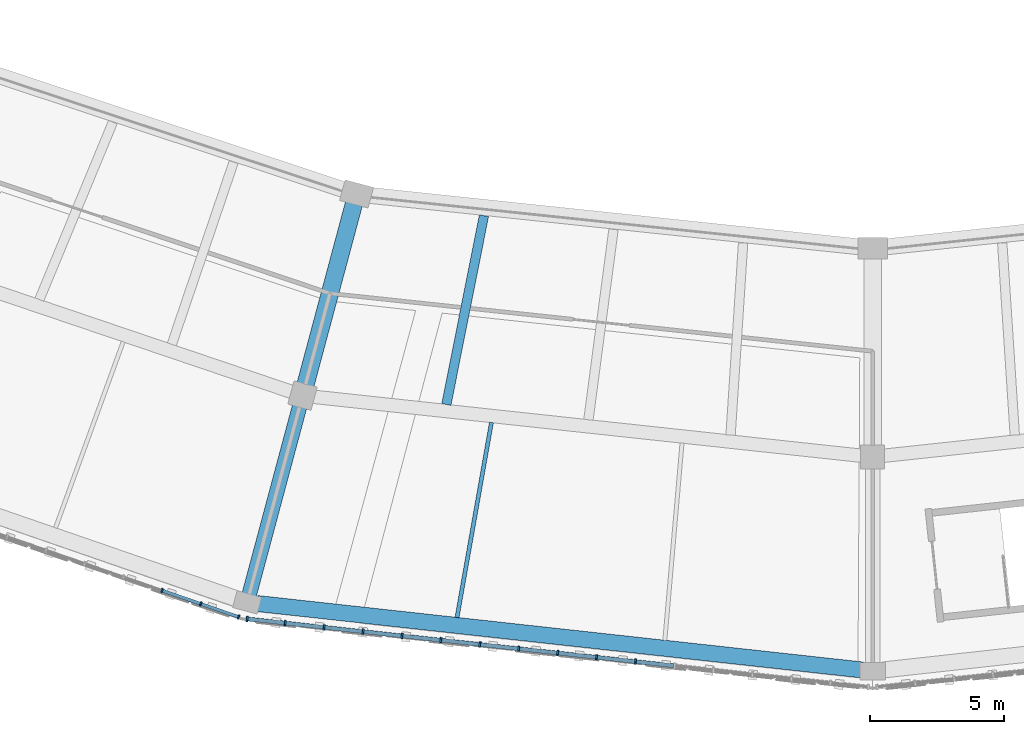
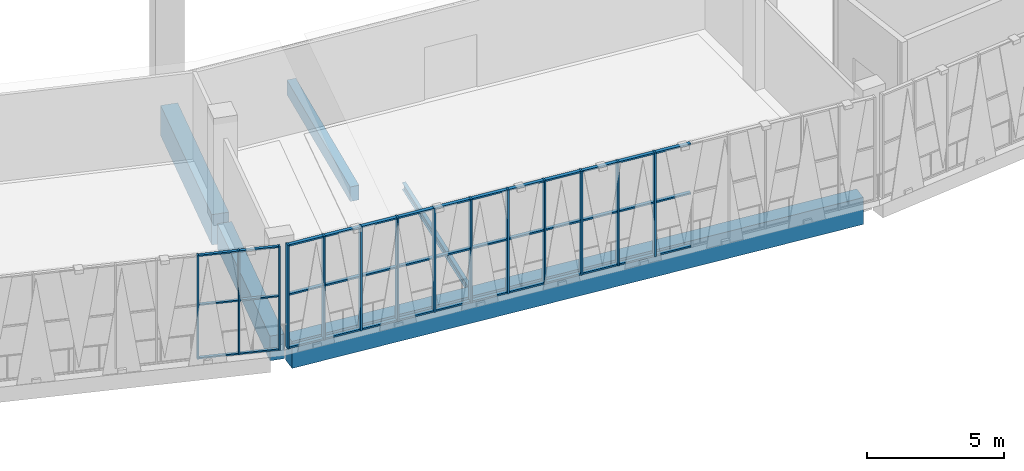
# One storey, part 7 of 64: 53 members, 5 beams, 2 elements without a shape of their own.
"""IFC4 building model written with IfcOpenShell, lengths in metres."""

import ifcopenshell
import ifcopenshell.guid

model = None  # the IFC model being written
_history = None  # IfcOwnerHistory: only IFC2X3 demands one
_inside = {}  # id of a spatial element -> (the spatial element, [elements in it])
_under = {}  # id of a project, library or spatial element -> (it, [spatial elements below it])
_declared = {}  # id of a project -> (the project, [libraries it declares])
_typed = {}  # id of a type object -> (the type object, [elements of that type])
_made_of = {}  # id of a material, layer set ... -> (it, [elements and type objects made of it])


def new_model(schema):
    """Start an empty IFC model of exactly this schema.

    Asked for "IFC4X3", IfcOpenShell would pick the latest addendum, in which some entities
    have other attributes; the version numbers below select the first issue.
    IFC2X3 requires an IfcOwnerHistory on every rooted entity: one is made here for all.
    """
    global model, _history
    if schema == "IFC4X3":
        model = ifcopenshell.file(schema_version=(4, 3, 0, 0))
    else:
        model = ifcopenshell.file(schema=schema)
    _inside.clear()
    _under.clear()
    _declared.clear()
    _typed.clear()
    _made_of.clear()
    _history = None
    if model.schema == "IFC2X3":
        org = make("IfcOrganization", Name="unknown")
        user = make(
            "IfcPersonAndOrganization",
            ThePerson=make("IfcPerson", FamilyName="unknown"),
            TheOrganization=org,
        )
        app = make(
            "IfcApplication",
            ApplicationDeveloper=org,
            Version="unknown",
            ApplicationFullName="unknown",
            ApplicationIdentifier="unknown",
        )
        _history = make(
            "IfcOwnerHistory",
            OwningUser=user,
            OwningApplication=app,
            ChangeAction="ADDED",
            CreationDate=0,
        )
    return model


def make(cls, **values):
    """One entity of the class cls with the attributes given. An attribute that is None is left unset."""
    return model.create_entity(
        cls, **{name: value for name, value in values.items() if value is not None}
    )


def rooted(cls, **values):
    """An entity with a GlobalId (a new one), such as an element, a storey or a relation."""
    return make(cls, GlobalId=ifcopenshell.guid.new(), OwnerHistory=_history, **values)


def si_unit(unit_type, name, prefix=None):
    """IfcSIUnit, for example si_unit("LENGTHUNIT", "METRE", prefix="MILLI")."""
    return make("IfcSIUnit", UnitType=unit_type, Prefix=prefix, Name=name)


def assignment(units):
    """IfcUnitAssignment: the units of a project."""
    return None if units is None else make("IfcUnitAssignment", Units=units)


def point(xyz):
    """IfcCartesianPoint."""
    return None if xyz is None else make("IfcCartesianPoint", Coordinates=xyz)


def direction(xyz):
    """IfcDirection."""
    return None if xyz is None else make("IfcDirection", DirectionRatios=xyz)


def frame(location, z_axis=None, x_axis=None):
    """IfcAxis2Placement3D, a coordinate frame: its origin and axes. An axis left out is left unset."""
    return make(
        "IfcAxis2Placement3D",
        Location=point(location),
        Axis=direction(z_axis),
        RefDirection=direction(x_axis),
    )


def frame_2d(location, x_axis=None):
    """IfcAxis2Placement2D, a coordinate frame in the plane: its origin and x axis."""
    return make(
        "IfcAxis2Placement2D", Location=point(location), RefDirection=direction(x_axis)
    )


def origin():
    """The frame at (0, 0, 0) with its axes left unset."""
    return frame((0.0, 0.0, 0.0))


def origin_2d():
    """The frame at (0, 0) in the plane with its x axis left unset."""
    return frame_2d((0.0, 0.0))


def place(relative_to, where):
    """IfcLocalPlacement: puts the frame where relative to a parent placement (None: the world)."""
    return make(
        "IfcLocalPlacement", PlacementRelTo=relative_to, RelativePlacement=where
    )


def context(
    kind, dimensions, precision=None, world=None, true_north=None, identifier=None
):
    """IfcGeometricRepresentationContext, for example the 3D "Model" context."""
    return make(
        "IfcGeometricRepresentationContext",
        ContextIdentifier=identifier,
        ContextType=kind,
        CoordinateSpaceDimension=dimensions,
        Precision=precision,
        WorldCoordinateSystem=world,
        TrueNorth=true_north,
    )


def subcontext(parent, identifier, kind, view, scale=None):
    """IfcGeometricRepresentationSubContext, for example "Body" below "Model"."""
    return make(
        "IfcGeometricRepresentationSubContext",
        ContextIdentifier=identifier,
        ContextType=kind,
        ParentContext=parent,
        TargetScale=scale,
        TargetView=view,
    )


def project(units=None, contexts=None):
    """IfcProject with its units and contexts."""
    return rooted(
        "IfcProject",
        Name="project",
        RepresentationContexts=contexts,
        UnitsInContext=assignment(units),
    )


def spatial(cls, under=None, at=None, **own):
    """A site, building, storey or space (cls), placed at a placement, below another one or the project."""
    s = rooted(cls, ObjectPlacement=at, **own)
    if under is not None:
        _under.setdefault(under.id(), (under, []))[1].append(s)
    return s


def profile(cls, at=None, kind="AREA", **sizes):
    """A parametric profile (cls). Its sizes go by their IFC names, for example OverallWidth=200.0."""
    return make(cls, ProfileType=kind, Position=at, **sizes)


def rectangle(**sizes):
    """IfcRectangleProfileDef."""
    return profile("IfcRectangleProfileDef", **sizes)


def i_section(**sizes):
    """IfcIShapeProfileDef."""
    return profile("IfcIShapeProfileDef", **sizes)


def extrude(swept, where, along, depth):
    """IfcExtrudedAreaSolid: the profile swept, set in the frame where, extruded along a direction by depth."""
    return make(
        "IfcExtrudedAreaSolid",
        SweptArea=swept,
        Position=where,
        ExtrudedDirection=direction(along),
        Depth=depth,
    )


def shape(context_of_items, identifier, shape_type, items):
    """IfcShapeRepresentation: the items that make up one representation, for example the "Body"."""
    return make(
        "IfcShapeRepresentation",
        ContextOfItems=context_of_items,
        RepresentationIdentifier=identifier,
        RepresentationType=shape_type,
        Items=items,
    )


def material(Name=None, Category=None):
    """IfcMaterial."""
    return make("IfcMaterial", Name=Name, Category=Category)


def material_profile(
    of_material, cross_section, Name=None, Category=None, Priority=None
):
    """IfcMaterialProfile: a cross section and its material."""
    return make(
        "IfcMaterialProfile",
        Name=Name,
        Material=of_material,
        Profile=cross_section,
        Priority=Priority,
        Category=Category,
    )


def profile_set(profiles, Name=None, composite=None):
    """IfcMaterialProfileSet."""
    return make(
        "IfcMaterialProfileSet",
        Name=Name,
        MaterialProfiles=profiles,
        CompositeProfile=composite,
    )


def made_of(thing, what):
    """Note that an element or type object is made of a material, layer set ...; save() writes the relation."""
    if what is not None:
        _made_of.setdefault(what.id(), (what, []))[1].append(thing)
    return thing


def type_object(cls, material=None, **own):
    """A type object (cls), such as IfcWallType, which elements share."""
    return made_of(rooted(cls, **own), material)


def element(
    cls,
    number,
    at=None,
    inside=None,
    cuts=None,
    type_object=None,
    material=None,
    context=None,
    identifier="Body",
    shape_type=None,
    held_by="IfcProductDefinitionShape",
    body=None,
    shapes=None,
    **own,
):
    """One element of the class cls, such as IfcWall. Its Tag is "e" and its number.

    at: its placement. inside: the storey or other place that contains it. cuts: it is an
    opening in that element (IfcRelVoidsElement). A single representation is given by context,
    identifier, shape_type and body (its items); several are given by shapes. held_by: the class
    of the entity that holds the representations. save() writes the other relations.
    """
    e = rooted(cls, Tag="e%d" % number, ObjectPlacement=at, **own)
    if body is not None:
        shapes = [shape(context, identifier, shape_type, body)]
    if shapes is not None:
        e.Representation = make(held_by, Representations=shapes)
    if inside is not None:
        _inside.setdefault(inside.id(), (inside, []))[1].append(e)
    if cuts is not None:
        rooted(
            "IfcRelVoidsElement", RelatingBuildingElement=cuts, RelatedOpeningElement=e
        )
    if type_object is not None:
        _typed.setdefault(type_object.id(), (type_object, []))[1].append(e)
    return made_of(e, material)


def aggregate(whole, parts):
    """IfcRelAggregates: a whole, such as a stair, and the parts it consists of."""
    return rooted("IfcRelAggregates", RelatingObject=whole, RelatedObjects=parts)


def save(model, path):
    """Write the relations noted so far, then the file.

    IfcRelAggregates (storeys below a building ...), IfcRelContainedInSpatialStructure (elements
    in a storey), IfcRelDefinesByType, IfcRelAssociatesMaterial and IfcRelDeclares: one each for
    every whole, place, type object, material and project.
    """
    for whole, parts in _under.values():
        aggregate(whole, parts)
    for where, things in _inside.values():
        rooted(
            "IfcRelContainedInSpatialStructure",
            RelatedElements=things,
            RelatingStructure=where,
        )
    for kind, things in _typed.values():
        rooted("IfcRelDefinesByType", RelatedObjects=things, RelatingType=kind)
    for what, things in _made_of.values():
        rooted("IfcRelAssociatesMaterial", RelatedObjects=things, RelatingMaterial=what)
    for by, libraries in _declared.values():
        rooted("IfcRelDeclares", RelatingContext=by, RelatedDefinitions=libraries)
    model.write(path)


model = new_model("IFC4")

# Units and contexts
model_context = context("Model", 3, precision=1e-05, world=origin(), true_north=direction((0.0, 1.0)))
body_context = subcontext(model_context, "Body", "Model", "MODEL_VIEW")
ifc_project = project(units=[si_unit("LENGTHUNIT", "METRE"), si_unit("AREAUNIT", "SQUARE_METRE"), si_unit("VOLUMEUNIT", "CUBIC_METRE"), si_unit("PLANEANGLEUNIT", "RADIAN"), si_unit("MASSUNIT", "GRAM", prefix="KILO")], contexts=[model_context])

# Site, building, storey
site_placement = place(None, origin())
site = spatial("IfcSite", under=ifc_project, at=site_placement, CompositionType="ELEMENT")
building_placement = place(site_placement, origin())
building = spatial("IfcBuilding", under=site, at=building_placement, Name="Zevraka Park Crest Stadium", CompositionType="ELEMENT")
storey_placement = place(building_placement, frame((0.0, 0.0, 24.60009765625)))
storey = spatial("IfcBuildingStorey", under=building, at=storey_placement, Name="L05", CompositionType="ELEMENT", Elevation=24.60009765625)

# Beams
ifc_material_1 = material(Name="Concrete C40/50", Category="concrete")
ifc_material_profile_1 = material_profile(ifc_material_1, rectangle(XDim=0.64990234375, YDim=1.35009765625, at=origin_2d()), Name="RC 1350x650")
ifc_profile_set_1 = profile_set([ifc_material_profile_1], Name="Concrete C40/50")
beam_type_1 = type_object("IfcBeamType", Name="BG01", PredefinedType="BEAM", material=ifc_profile_set_1)
beam_1_placement = place(storey_placement, frame((92.639892578125, 34.237060546875, -0.68505859375), z_axis=(-0.258747385792, -0.965945024495, 0.0), x_axis=(0.965945024495, -0.258747385792, 0.0)))
element("IfcBeam", 1, at=beam_1_placement, inside=storey, type_object=beam_type_1, Name="Radial Girder BG01 L05-BC-17", PredefinedType="BEAM", context=body_context, shape_type="SweptSolid", body=[
    extrude(rectangle(XDim=0.64990234375, YDim=1.35009765625, at=origin_2d()), origin(), (0.0, 0.0, 1.0), 7.19921875),
])
ifc_material_2 = material(Name="Concrete C40/50", Category="concrete")
ifc_material_profile_2 = material_profile(ifc_material_2, rectangle(XDim=0.550048828125, YDim=1.10009765625, at=origin_2d()), Name="RC 1100x550")
ifc_profile_set_2 = profile_set([ifc_material_profile_2], Name="Concrete C40/50")
beam_type_2 = type_object("IfcBeamType", Name="BG02", PredefinedType="BEAM", material=ifc_profile_set_2)
beam_2_placement = place(storey_placement, frame((90.62109375, 26.702880859375, -0.56005859375), z_axis=(-0.258697599806, -0.965958359276, 0.0), x_axis=(0.965958359276, -0.258697599806, 0.0)))
element("IfcBeam", 2, at=beam_2_placement, inside=storey, type_object=beam_type_2, Name="Radial Girder BG02 L05-CD-17", PredefinedType="BEAM", context=body_context, shape_type="SweptSolid", body=[
    extrude(rectangle(XDim=0.550048828125, YDim=1.10009765625, at=origin_2d()), origin(), (0.0, 0.0, 1.0), 7.39892578125),
])

# Curtain wall, members
ifc_material_3 = material(Name="Anodised architectural aluminium and laminated safety glass", Category="aluminium")
curtain_wall_type_1 = type_object("IfcCurtainWallType", Name="CW22", PredefinedType="NOTDEFINED", material=ifc_material_3)
curtain_wall_1_placement = place(storey_placement, origin())
curtain_wall_1 = element("IfcCurtainWall", 3, at=curtain_wall_1_placement, inside=storey, type_object=curtain_wall_type_1, Name="Unitised Ring Curtain Wall CW22 L05-16", PredefinedType="NOTDEFINED")
ifc_material_4 = material(Name="Anodised architectural aluminium", Category="aluminium")
ifc_material_profile_3 = material_profile(ifc_material_4, rectangle(XDim=0.159912109375, YDim=0.06005859375, at=origin_2d()), Name="ALU MULLION 160x60")
ifc_profile_set_3 = profile_set([ifc_material_profile_3], Name="Anodised architectural aluminium")
member_type_1 = type_object("IfcMemberType", Name="CM01", PredefinedType="MULLION", material=ifc_profile_set_3)
member_1_placement = place(storey_placement, frame((85.449951171875, 19.711181640625, 0.0), z_axis=(0.0, 0.0, 1.0), x_axis=(0.326929424834, 0.945048755979, 0.0)))
member_1 = element("IfcMember", 4, at=member_1_placement, type_object=member_type_1, Name="CW22 mullion 14", PredefinedType="MULLION", context=body_context, shape_type="SweptSolid", body=[
    extrude(rectangle(XDim=0.159912109375, YDim=0.06005859375, at=origin_2d()), origin(), (0.0, 0.0, 1.0), 4.619873046875),
])
member_2_placement = place(storey_placement, frame((86.8955078125, 19.211181640625, 0.0), z_axis=(0.0, 0.0, 1.0), x_axis=(0.326929424834, 0.945048755979, 0.0)))
member_2 = element("IfcMember", 5, at=member_2_placement, type_object=member_type_1, Name="CW22 mullion 15", PredefinedType="MULLION", context=body_context, shape_type="SweptSolid", body=[
    extrude(rectangle(XDim=0.159912109375, YDim=0.06005859375, at=origin_2d()), origin(), (0.0, 0.0, 1.0), 4.619873046875),
])
member_3_placement = place(storey_placement, frame((88.312744140625, 18.720703125, 0.0), z_axis=(0.0, 0.0, 1.0), x_axis=(0.326929424834, 0.945048755979, 0.0)))
member_3 = element("IfcMember", 6, at=member_3_placement, type_object=member_type_1, Name="CW22 mullion 16", PredefinedType="MULLION", context=body_context, shape_type="SweptSolid", body=[
    extrude(rectangle(XDim=0.159912109375, YDim=0.06005859375, at=origin_2d()), origin(), (0.0, 0.0, 1.0), 4.619873046875),
])

ifc_material_5 = material(Name="Anodised architectural aluminium and laminated safety glass", Category="aluminium")
curtain_wall_type_2 = type_object("IfcCurtainWallType", Name="CW21", PredefinedType="NOTDEFINED", material=ifc_material_5)
curtain_wall_2_placement = place(storey_placement, origin())
curtain_wall_2 = element("IfcCurtainWall", 7, at=curtain_wall_2_placement, inside=storey, type_object=curtain_wall_type_2, Name="Unitised Ring Curtain Wall CW21 L05-17", PredefinedType="NOTDEFINED")
ifc_material_6 = material(Name="Anodised architectural aluminium", Category="aluminium")
ifc_material_profile_4 = material_profile(ifc_material_6, rectangle(XDim=0.199951171875, YDim=0.070068359375, at=origin_2d()), Name="ALU MULLION 200x70")
ifc_profile_set_4 = profile_set([ifc_material_profile_4], Name="Anodised architectural aluminium")
member_type_2 = type_object("IfcMemberType", Name="CM03", PredefinedType="MULLION", material=ifc_profile_set_4)
member_4_placement = place(storey_placement, frame((88.6298828125, 18.650146484375, 0.0), z_axis=(0.0, 0.0, 1.0), x_axis=(0.109287733215, 0.994010156572, 0.0)))
member_4 = element("IfcMember", 8, at=member_4_placement, type_object=member_type_2, Name="CW21 mullion 1", PredefinedType="MULLION", context=body_context, shape_type="SweptSolid", body=[
    extrude(rectangle(XDim=0.199951171875, YDim=0.070068359375, at=origin_2d()), origin(), (0.0, 0.0, 1.0), 4.619873046875),
])
member_5_placement = place(storey_placement, frame((90.0498046875, 18.494140625, 0.0), z_axis=(0.0, 0.0, 1.0), x_axis=(0.109287733215, 0.994010156572, 0.0)))
member_5 = element("IfcMember", 9, at=member_5_placement, type_object=member_type_2, Name="CW21 mullion 2", PredefinedType="MULLION", context=body_context, shape_type="SweptSolid", body=[
    extrude(rectangle(XDim=0.199951171875, YDim=0.070068359375, at=origin_2d()), origin(), (0.0, 0.0, 1.0), 4.619873046875),
])
member_6_placement = place(storey_placement, frame((91.50439453125, 18.334228515625, 0.0), z_axis=(0.0, 0.0, 1.0), x_axis=(0.109287733215, 0.994010156572, 0.0)))
member_6 = element("IfcMember", 10, at=member_6_placement, type_object=member_type_2, Name="CW21 mullion 3", PredefinedType="MULLION", context=body_context, shape_type="SweptSolid", body=[
    extrude(rectangle(XDim=0.199951171875, YDim=0.070068359375, at=origin_2d()), origin(), (0.0, 0.0, 1.0), 4.619873046875),
])
member_7_placement = place(storey_placement, frame((92.958984375, 18.174072265625, 0.0), z_axis=(0.0, 0.0, 1.0), x_axis=(0.109287733215, 0.994010156572, 0.0)))
member_7 = element("IfcMember", 11, at=member_7_placement, type_object=member_type_2, Name="CW21 mullion 4", PredefinedType="MULLION", context=body_context, shape_type="SweptSolid", body=[
    extrude(rectangle(XDim=0.199951171875, YDim=0.070068359375, at=origin_2d()), origin(), (0.0, 0.0, 1.0), 4.619873046875),
])
member_8_placement = place(storey_placement, frame((94.413818359375, 18.01416015625, 0.0), z_axis=(0.0, 0.0, 1.0), x_axis=(0.109287733215, 0.994010156572, 0.0)))
member_8 = element("IfcMember", 12, at=member_8_placement, type_object=member_type_2, Name="CW21 mullion 5", PredefinedType="MULLION", context=body_context, shape_type="SweptSolid", body=[
    extrude(rectangle(XDim=0.199951171875, YDim=0.070068359375, at=origin_2d()), origin(), (0.0, 0.0, 1.0), 4.619873046875),
])
member_9_placement = place(storey_placement, frame((95.868408203125, 17.854248046875, 0.0), z_axis=(0.0, 0.0, 1.0), x_axis=(0.109287733215, 0.994010156572, 0.0)))
member_9 = element("IfcMember", 13, at=member_9_placement, type_object=member_type_2, Name="CW21 mullion 6", PredefinedType="MULLION", context=body_context, shape_type="SweptSolid", body=[
    extrude(rectangle(XDim=0.199951171875, YDim=0.070068359375, at=origin_2d()), origin(), (0.0, 0.0, 1.0), 4.619873046875),
])
member_10_placement = place(storey_placement, frame((97.3232421875, 17.6943359375, 0.0), z_axis=(0.0, 0.0, 1.0), x_axis=(0.109287733215, 0.994010156572, 0.0)))
member_10 = element("IfcMember", 14, at=member_10_placement, type_object=member_type_2, Name="CW21 mullion 7", PredefinedType="MULLION", context=body_context, shape_type="SweptSolid", body=[
    extrude(rectangle(XDim=0.199951171875, YDim=0.070068359375, at=origin_2d()), origin(), (0.0, 0.0, 1.0), 4.619873046875),
])
member_11_placement = place(storey_placement, frame((98.77783203125, 17.534423828125, 0.0), z_axis=(0.0, 0.0, 1.0), x_axis=(0.109287733215, 0.994010156572, 0.0)))
member_11 = element("IfcMember", 15, at=member_11_placement, type_object=member_type_2, Name="CW21 mullion 8", PredefinedType="MULLION", context=body_context, shape_type="SweptSolid", body=[
    extrude(rectangle(XDim=0.199951171875, YDim=0.070068359375, at=origin_2d()), origin(), (0.0, 0.0, 1.0), 4.619873046875),
])
member_12_placement = place(storey_placement, frame((100.232421875, 17.37451171875, 0.0), z_axis=(0.0, 0.0, 1.0), x_axis=(0.109287733215, 0.994010156572, 0.0)))
member_12 = element("IfcMember", 16, at=member_12_placement, type_object=member_type_2, Name="CW21 mullion 9", PredefinedType="MULLION", context=body_context, shape_type="SweptSolid", body=[
    extrude(rectangle(XDim=0.199951171875, YDim=0.070068359375, at=origin_2d()), origin(), (0.0, 0.0, 1.0), 4.619873046875),
])
member_13_placement = place(storey_placement, frame((101.687255859375, 17.214599609375, 0.0), z_axis=(0.0, 0.0, 1.0), x_axis=(0.109287733215, 0.994010156572, 0.0)))
member_13 = element("IfcMember", 17, at=member_13_placement, type_object=member_type_2, Name="CW21 mullion 10", PredefinedType="MULLION", context=body_context, shape_type="SweptSolid", body=[
    extrude(rectangle(XDim=0.199951171875, YDim=0.070068359375, at=origin_2d()), origin(), (0.0, 0.0, 1.0), 4.619873046875),
])
member_14_placement = place(storey_placement, frame((103.141845703125, 17.0546875, 0.0), z_axis=(0.0, 0.0, 1.0), x_axis=(0.109287733215, 0.994010156572, 0.0)))
member_14 = element("IfcMember", 18, at=member_14_placement, type_object=member_type_2, Name="CW21 mullion 11", PredefinedType="MULLION", context=body_context, shape_type="SweptSolid", body=[
    extrude(rectangle(XDim=0.199951171875, YDim=0.070068359375, at=origin_2d()), origin(), (0.0, 0.0, 1.0), 4.619873046875),
])

# Member
ifc_material_7 = material(Name="Anodised architectural aluminium", Category="aluminium")
ifc_material_profile_5 = material_profile(ifc_material_7, rectangle(XDim=0.1201171875, YDim=0.06005859375, at=origin_2d()), Name="ALU TRANSOM 120x60")
ifc_profile_set_5 = profile_set([ifc_material_profile_5], Name="Anodised architectural aluminium")
member_type_3 = type_object("IfcMemberType", Name="CT01", PredefinedType="USERDEFINED", material=ifc_profile_set_5)
member_15_placement = place(storey_placement, frame((85.478271484375, 19.701416015625, 0.02978515625), z_axis=(0.945051229525, -0.326922274513, 0.0), x_axis=(0.326922274513, 0.945051229525, 0.0)))
member_15 = element("IfcMember", 19, at=member_15_placement, type_object=member_type_3, Name="CW22 transom 14.1", ObjectType="TRANSOM", PredefinedType="USERDEFINED", context=body_context, shape_type="SweptSolid", body=[
    extrude(rectangle(XDim=0.1201171875, YDim=0.06005859375, at=origin_2d()), origin(), (0.0, 0.0, 1.0), 1.4697265625),
])

member_16_placement = place(storey_placement, frame((85.478271484375, 19.701416015625, 2.39990234375), z_axis=(0.945051229525, -0.326922274513, 0.0), x_axis=(0.326922274513, 0.945051229525, 0.0)))
member_16 = element("IfcMember", 20, at=member_16_placement, type_object=member_type_3, Name="CW22 transom 14.2", ObjectType="TRANSOM", PredefinedType="USERDEFINED", context=body_context, shape_type="SweptSolid", body=[
    extrude(rectangle(XDim=0.1201171875, YDim=0.06005859375, at=origin_2d()), origin(), (0.0, 0.0, 1.0), 1.4697265625),
])

member_17_placement = place(storey_placement, frame((85.478271484375, 19.701416015625, 4.58984375), z_axis=(0.945051229525, -0.326922274513, 0.0), x_axis=(0.326922274513, 0.945051229525, 0.0)))
member_17 = element("IfcMember", 21, at=member_17_placement, type_object=member_type_3, Name="CW22 transom 14.3", ObjectType="TRANSOM", PredefinedType="USERDEFINED", context=body_context, shape_type="SweptSolid", body=[
    extrude(rectangle(XDim=0.1201171875, YDim=0.06005859375, at=origin_2d()), origin(), (0.0, 0.0, 1.0), 1.4697265625),
])

member_18_placement = place(storey_placement, frame((86.923828125, 19.201171875, 0.02978515625), z_axis=(0.94507879558, -0.326842577007, 0.0), x_axis=(0.326842577007, 0.94507879558, 0.0)))
member_18 = element("IfcMember", 22, at=member_18_placement, type_object=member_type_3, Name="CW22 transom 15.1", ObjectType="TRANSOM", PredefinedType="USERDEFINED", context=body_context, shape_type="SweptSolid", body=[
    extrude(rectangle(XDim=0.1201171875, YDim=0.06005859375, at=origin_2d()), origin(), (0.0, 0.0, 1.0), 1.439453125),
])

member_19_placement = place(storey_placement, frame((86.923828125, 19.201171875, 2.39990234375), z_axis=(0.94507879558, -0.326842577007, 0.0), x_axis=(0.326842577007, 0.94507879558, 0.0)))
member_19 = element("IfcMember", 23, at=member_19_placement, type_object=member_type_3, Name="CW22 transom 15.2", ObjectType="TRANSOM", PredefinedType="USERDEFINED", context=body_context, shape_type="SweptSolid", body=[
    extrude(rectangle(XDim=0.1201171875, YDim=0.06005859375, at=origin_2d()), origin(), (0.0, 0.0, 1.0), 1.439453125),
])

member_20_placement = place(storey_placement, frame((86.923828125, 19.201171875, 4.58984375), z_axis=(0.94507879558, -0.326842577007, 0.0), x_axis=(0.326842577007, 0.94507879558, 0.0)))
member_20 = element("IfcMember", 24, at=member_20_placement, type_object=member_type_3, Name="CW22 transom 15.3", ObjectType="TRANSOM", PredefinedType="USERDEFINED", context=body_context, shape_type="SweptSolid", body=[
    extrude(rectangle(XDim=0.1201171875, YDim=0.06005859375, at=origin_2d()), origin(), (0.0, 0.0, 1.0), 1.439453125),
])

aggregate(curtain_wall_1, [member_1, member_2, member_3, member_15, member_16, member_17, member_18, member_19, member_20])

ifc_material_8 = material(Name="Anodised architectural aluminium", Category="aluminium")
ifc_material_profile_6 = material_profile(ifc_material_8, rectangle(XDim=0.14990234375, YDim=0.070068359375, at=origin_2d()), Name="ALU TRANSOM 150x70")
ifc_profile_set_6 = profile_set([ifc_material_profile_6], Name="Anodised architectural aluminium")
member_type_4 = type_object("IfcMemberType", Name="CT03", PredefinedType="USERDEFINED", material=ifc_profile_set_6)
member_21_placement = place(storey_placement, frame((88.66455078125, 18.646240234375, 0.034912109375), z_axis=(0.994012361586, -0.10926767598, 0.0), x_axis=(0.10926767598, 0.994012361586, 0.0)))
member_21 = element("IfcMember", 25, at=member_21_placement, type_object=member_type_4, Name="CW21 transom 1.1", ObjectType="TRANSOM", PredefinedType="USERDEFINED", context=body_context, shape_type="SweptSolid", body=[
    extrude(rectangle(XDim=0.14990234375, YDim=0.070068359375, at=origin_2d()), origin(), (0.0, 0.0, 1.0), 1.3583984375),
])

member_22_placement = place(storey_placement, frame((88.66455078125, 18.646240234375, 2.39990234375), z_axis=(0.994012361586, -0.10926767598, 0.0), x_axis=(0.10926767598, 0.994012361586, 0.0)))
member_22 = element("IfcMember", 26, at=member_22_placement, type_object=member_type_4, Name="CW21 transom 1.2", ObjectType="TRANSOM", PredefinedType="USERDEFINED", context=body_context, shape_type="SweptSolid", body=[
    extrude(rectangle(XDim=0.14990234375, YDim=0.070068359375, at=origin_2d()), origin(), (0.0, 0.0, 1.0), 1.3583984375),
])

member_23_placement = place(storey_placement, frame((88.66455078125, 18.646240234375, 4.5849609375), z_axis=(0.994012361586, -0.10926767598, 0.0), x_axis=(0.10926767598, 0.994012361586, 0.0)))
member_23 = element("IfcMember", 27, at=member_23_placement, type_object=member_type_4, Name="CW21 transom 1.3", ObjectType="TRANSOM", PredefinedType="USERDEFINED", context=body_context, shape_type="SweptSolid", body=[
    extrude(rectangle(XDim=0.14990234375, YDim=0.070068359375, at=origin_2d()), origin(), (0.0, 0.0, 1.0), 1.3583984375),
])

member_24_placement = place(storey_placement, frame((90.08447265625, 18.490234375, 0.034912109375), z_axis=(0.994004927225, -0.109335285491, 0.0), x_axis=(0.109335285491, 0.994004927225, 0.0)))
member_24 = element("IfcMember", 28, at=member_24_placement, type_object=member_type_4, Name="CW21 transom 2.1", ObjectType="TRANSOM", PredefinedType="USERDEFINED", context=body_context, shape_type="SweptSolid", body=[
    extrude(rectangle(XDim=0.14990234375, YDim=0.070068359375, at=origin_2d()), origin(), (0.0, 0.0, 1.0), 1.393310546875),
])

member_25_placement = place(storey_placement, frame((90.08447265625, 18.490234375, 2.39990234375), z_axis=(0.994004927225, -0.109335285491, 0.0), x_axis=(0.109335285491, 0.994004927225, 0.0)))
member_25 = element("IfcMember", 29, at=member_25_placement, type_object=member_type_4, Name="CW21 transom 2.2", ObjectType="TRANSOM", PredefinedType="USERDEFINED", context=body_context, shape_type="SweptSolid", body=[
    extrude(rectangle(XDim=0.14990234375, YDim=0.070068359375, at=origin_2d()), origin(), (0.0, 0.0, 1.0), 1.393310546875),
])

member_26_placement = place(storey_placement, frame((90.08447265625, 18.490234375, 4.5849609375), z_axis=(0.994004927225, -0.109335285491, 0.0), x_axis=(0.109335285491, 0.994004927225, 0.0)))
member_26 = element("IfcMember", 30, at=member_26_placement, type_object=member_type_4, Name="CW21 transom 2.3", ObjectType="TRANSOM", PredefinedType="USERDEFINED", context=body_context, shape_type="SweptSolid", body=[
    extrude(rectangle(XDim=0.14990234375, YDim=0.070068359375, at=origin_2d()), origin(), (0.0, 0.0, 1.0), 1.393310546875),
])

member_27_placement = place(storey_placement, frame((91.5390625, 18.330322265625, 0.034912109375), z_axis=(0.994007021255, -0.109316246257, 0.0), x_axis=(0.109316246257, 0.994007021255, 0.0)))
member_27 = element("IfcMember", 31, at=member_27_placement, type_object=member_type_4, Name="CW21 transom 3.1", ObjectType="TRANSOM", PredefinedType="USERDEFINED", context=body_context, shape_type="SweptSolid", body=[
    extrude(rectangle(XDim=0.14990234375, YDim=0.070068359375, at=origin_2d()), origin(), (0.0, 0.0, 1.0), 1.3935546875),
])

member_28_placement = place(storey_placement, frame((91.5390625, 18.330322265625, 2.39990234375), z_axis=(0.994007021255, -0.109316246257, 0.0), x_axis=(0.109316246257, 0.994007021255, 0.0)))
member_28 = element("IfcMember", 32, at=member_28_placement, type_object=member_type_4, Name="CW21 transom 3.2", ObjectType="TRANSOM", PredefinedType="USERDEFINED", context=body_context, shape_type="SweptSolid", body=[
    extrude(rectangle(XDim=0.14990234375, YDim=0.070068359375, at=origin_2d()), origin(), (0.0, 0.0, 1.0), 1.3935546875),
])

member_29_placement = place(storey_placement, frame((91.5390625, 18.330322265625, 4.5849609375), z_axis=(0.994007021255, -0.109316246257, 0.0), x_axis=(0.109316246257, 0.994007021255, 0.0)))
member_29 = element("IfcMember", 33, at=member_29_placement, type_object=member_type_4, Name="CW21 transom 3.3", ObjectType="TRANSOM", PredefinedType="USERDEFINED", context=body_context, shape_type="SweptSolid", body=[
    extrude(rectangle(XDim=0.14990234375, YDim=0.070068359375, at=origin_2d()), origin(), (0.0, 0.0, 1.0), 1.3935546875),
])

member_30_placement = place(storey_placement, frame((92.993896484375, 18.17041015625, 0.034912109375), z_axis=(0.994004927225, -0.109335285491, 0.0), x_axis=(0.109335285491, 0.994004927225, 0.0)))
member_30 = element("IfcMember", 34, at=member_30_placement, type_object=member_type_4, Name="CW21 transom 4.1", ObjectType="TRANSOM", PredefinedType="USERDEFINED", context=body_context, shape_type="SweptSolid", body=[
    extrude(rectangle(XDim=0.14990234375, YDim=0.070068359375, at=origin_2d()), origin(), (0.0, 0.0, 1.0), 1.393310546875),
])

member_31_placement = place(storey_placement, frame((92.993896484375, 18.17041015625, 2.39990234375), z_axis=(0.994004927225, -0.109335285491, 0.0), x_axis=(0.109335285491, 0.994004927225, 0.0)))
member_31 = element("IfcMember", 35, at=member_31_placement, type_object=member_type_4, Name="CW21 transom 4.2", ObjectType="TRANSOM", PredefinedType="USERDEFINED", context=body_context, shape_type="SweptSolid", body=[
    extrude(rectangle(XDim=0.14990234375, YDim=0.070068359375, at=origin_2d()), origin(), (0.0, 0.0, 1.0), 1.393310546875),
])

member_32_placement = place(storey_placement, frame((92.993896484375, 18.17041015625, 4.5849609375), z_axis=(0.994004927225, -0.109335285491, 0.0), x_axis=(0.109335285491, 0.994004927225, 0.0)))
member_32 = element("IfcMember", 36, at=member_32_placement, type_object=member_type_4, Name="CW21 transom 4.3", ObjectType="TRANSOM", PredefinedType="USERDEFINED", context=body_context, shape_type="SweptSolid", body=[
    extrude(rectangle(XDim=0.14990234375, YDim=0.070068359375, at=origin_2d()), origin(), (0.0, 0.0, 1.0), 1.393310546875),
])

member_33_placement = place(storey_placement, frame((94.448486328125, 18.010498046875, 0.034912109375), z_axis=(0.994007021255, -0.109316246257, 0.0), x_axis=(0.109316246257, 0.994007021255, 0.0)))
member_33 = element("IfcMember", 37, at=member_33_placement, type_object=member_type_4, Name="CW21 transom 5.1", ObjectType="TRANSOM", PredefinedType="USERDEFINED", context=body_context, shape_type="SweptSolid", body=[
    extrude(rectangle(XDim=0.14990234375, YDim=0.070068359375, at=origin_2d()), origin(), (0.0, 0.0, 1.0), 1.3935546875),
])

member_34_placement = place(storey_placement, frame((94.448486328125, 18.010498046875, 2.39990234375), z_axis=(0.994007021255, -0.109316246257, 0.0), x_axis=(0.109316246257, 0.994007021255, 0.0)))
member_34 = element("IfcMember", 38, at=member_34_placement, type_object=member_type_4, Name="CW21 transom 5.2", ObjectType="TRANSOM", PredefinedType="USERDEFINED", context=body_context, shape_type="SweptSolid", body=[
    extrude(rectangle(XDim=0.14990234375, YDim=0.070068359375, at=origin_2d()), origin(), (0.0, 0.0, 1.0), 1.3935546875),
])

member_35_placement = place(storey_placement, frame((94.448486328125, 18.010498046875, 4.5849609375), z_axis=(0.994007021255, -0.109316246257, 0.0), x_axis=(0.109316246257, 0.994007021255, 0.0)))
member_35 = element("IfcMember", 39, at=member_35_placement, type_object=member_type_4, Name="CW21 transom 5.3", ObjectType="TRANSOM", PredefinedType="USERDEFINED", context=body_context, shape_type="SweptSolid", body=[
    extrude(rectangle(XDim=0.14990234375, YDim=0.070068359375, at=origin_2d()), origin(), (0.0, 0.0, 1.0), 1.3935546875),
])

member_36_placement = place(storey_placement, frame((95.9033203125, 17.8505859375, 0.034912109375), z_axis=(0.994004927225, -0.109335285491, 0.0), x_axis=(0.109335285491, 0.994004927225, 0.0)))
member_36 = element("IfcMember", 40, at=member_36_placement, type_object=member_type_4, Name="CW21 transom 6.1", ObjectType="TRANSOM", PredefinedType="USERDEFINED", context=body_context, shape_type="SweptSolid", body=[
    extrude(rectangle(XDim=0.14990234375, YDim=0.070068359375, at=origin_2d()), origin(), (0.0, 0.0, 1.0), 1.393310546875),
])

member_37_placement = place(storey_placement, frame((95.9033203125, 17.8505859375, 2.39990234375), z_axis=(0.994004927225, -0.109335285491, 0.0), x_axis=(0.109335285491, 0.994004927225, 0.0)))
member_37 = element("IfcMember", 41, at=member_37_placement, type_object=member_type_4, Name="CW21 transom 6.2", ObjectType="TRANSOM", PredefinedType="USERDEFINED", context=body_context, shape_type="SweptSolid", body=[
    extrude(rectangle(XDim=0.14990234375, YDim=0.070068359375, at=origin_2d()), origin(), (0.0, 0.0, 1.0), 1.393310546875),
])

member_38_placement = place(storey_placement, frame((95.9033203125, 17.8505859375, 4.5849609375), z_axis=(0.994004927225, -0.109335285491, 0.0), x_axis=(0.109335285491, 0.994004927225, 0.0)))
member_38 = element("IfcMember", 42, at=member_38_placement, type_object=member_type_4, Name="CW21 transom 6.3", ObjectType="TRANSOM", PredefinedType="USERDEFINED", context=body_context, shape_type="SweptSolid", body=[
    extrude(rectangle(XDim=0.14990234375, YDim=0.070068359375, at=origin_2d()), origin(), (0.0, 0.0, 1.0), 1.393310546875),
])

member_39_placement = place(storey_placement, frame((97.35791015625, 17.6904296875, 0.034912109375), z_axis=(0.994023955042, -0.109162158292, 0.0), x_axis=(0.109162158292, 0.994023955042, 0.0)))
member_39 = element("IfcMember", 43, at=member_39_placement, type_object=member_type_4, Name="CW21 transom 7.1", ObjectType="TRANSOM", PredefinedType="USERDEFINED", context=body_context, shape_type="SweptSolid", body=[
    extrude(rectangle(XDim=0.14990234375, YDim=0.070068359375, at=origin_2d()), origin(), (0.0, 0.0, 1.0), 1.393310546875),
])

member_40_placement = place(storey_placement, frame((97.35791015625, 17.6904296875, 2.39990234375), z_axis=(0.994023955042, -0.109162158292, 0.0), x_axis=(0.109162158292, 0.994023955042, 0.0)))
member_40 = element("IfcMember", 44, at=member_40_placement, type_object=member_type_4, Name="CW21 transom 7.2", ObjectType="TRANSOM", PredefinedType="USERDEFINED", context=body_context, shape_type="SweptSolid", body=[
    extrude(rectangle(XDim=0.14990234375, YDim=0.070068359375, at=origin_2d()), origin(), (0.0, 0.0, 1.0), 1.393310546875),
])

member_41_placement = place(storey_placement, frame((97.35791015625, 17.6904296875, 4.5849609375), z_axis=(0.994023955042, -0.109162158292, 0.0), x_axis=(0.109162158292, 0.994023955042, 0.0)))
member_41 = element("IfcMember", 45, at=member_41_placement, type_object=member_type_4, Name="CW21 transom 7.3", ObjectType="TRANSOM", PredefinedType="USERDEFINED", context=body_context, shape_type="SweptSolid", body=[
    extrude(rectangle(XDim=0.14990234375, YDim=0.070068359375, at=origin_2d()), origin(), (0.0, 0.0, 1.0), 1.393310546875),
])

member_42_placement = place(storey_placement, frame((98.8125, 17.530517578125, 0.034912109375), z_axis=(0.994026042486, -0.109143148479, 0.0), x_axis=(0.109143148479, 0.994026042486, 0.0)))
member_42 = element("IfcMember", 46, at=member_42_placement, type_object=member_type_4, Name="CW21 transom 8.1", ObjectType="TRANSOM", PredefinedType="USERDEFINED", context=body_context, shape_type="SweptSolid", body=[
    extrude(rectangle(XDim=0.14990234375, YDim=0.070068359375, at=origin_2d()), origin(), (0.0, 0.0, 1.0), 1.3935546875),
])

member_43_placement = place(storey_placement, frame((98.8125, 17.530517578125, 2.39990234375), z_axis=(0.994026042486, -0.109143148479, 0.0), x_axis=(0.109143148479, 0.994026042486, 0.0)))
member_43 = element("IfcMember", 47, at=member_43_placement, type_object=member_type_4, Name="CW21 transom 8.2", ObjectType="TRANSOM", PredefinedType="USERDEFINED", context=body_context, shape_type="SweptSolid", body=[
    extrude(rectangle(XDim=0.14990234375, YDim=0.070068359375, at=origin_2d()), origin(), (0.0, 0.0, 1.0), 1.3935546875),
])

member_44_placement = place(storey_placement, frame((98.8125, 17.530517578125, 4.5849609375), z_axis=(0.994026042486, -0.109143148479, 0.0), x_axis=(0.109143148479, 0.994026042486, 0.0)))
member_44 = element("IfcMember", 48, at=member_44_placement, type_object=member_type_4, Name="CW21 transom 8.3", ObjectType="TRANSOM", PredefinedType="USERDEFINED", context=body_context, shape_type="SweptSolid", body=[
    extrude(rectangle(XDim=0.14990234375, YDim=0.070068359375, at=origin_2d()), origin(), (0.0, 0.0, 1.0), 1.3935546875),
])

member_45_placement = place(storey_placement, frame((100.267333984375, 17.37060546875, 0.034912109375), z_axis=(0.994023955042, -0.109162158292, 0.0), x_axis=(0.109162158292, 0.994023955042, 0.0)))
member_45 = element("IfcMember", 49, at=member_45_placement, type_object=member_type_4, Name="CW21 transom 9.1", ObjectType="TRANSOM", PredefinedType="USERDEFINED", context=body_context, shape_type="SweptSolid", body=[
    extrude(rectangle(XDim=0.14990234375, YDim=0.070068359375, at=origin_2d()), origin(), (0.0, 0.0, 1.0), 1.393310546875),
])

member_46_placement = place(storey_placement, frame((100.267333984375, 17.37060546875, 2.39990234375), z_axis=(0.994023955042, -0.109162158292, 0.0), x_axis=(0.109162158292, 0.994023955042, 0.0)))
member_46 = element("IfcMember", 50, at=member_46_placement, type_object=member_type_4, Name="CW21 transom 9.2", ObjectType="TRANSOM", PredefinedType="USERDEFINED", context=body_context, shape_type="SweptSolid", body=[
    extrude(rectangle(XDim=0.14990234375, YDim=0.070068359375, at=origin_2d()), origin(), (0.0, 0.0, 1.0), 1.393310546875),
])

member_47_placement = place(storey_placement, frame((100.267333984375, 17.37060546875, 4.5849609375), z_axis=(0.994023955042, -0.109162158292, 0.0), x_axis=(0.109162158292, 0.994023955042, 0.0)))
member_47 = element("IfcMember", 51, at=member_47_placement, type_object=member_type_4, Name="CW21 transom 9.3", ObjectType="TRANSOM", PredefinedType="USERDEFINED", context=body_context, shape_type="SweptSolid", body=[
    extrude(rectangle(XDim=0.14990234375, YDim=0.070068359375, at=origin_2d()), origin(), (0.0, 0.0, 1.0), 1.393310546875),
])

member_48_placement = place(storey_placement, frame((101.721923828125, 17.210693359375, 0.034912109375), z_axis=(0.994007021255, -0.109316246257, 0.0), x_axis=(0.109316246257, 0.994007021255, 0.0)))
member_48 = element("IfcMember", 52, at=member_48_placement, type_object=member_type_4, Name="CW21 transom 10.1", ObjectType="TRANSOM", PredefinedType="USERDEFINED", context=body_context, shape_type="SweptSolid", body=[
    extrude(rectangle(XDim=0.14990234375, YDim=0.070068359375, at=origin_2d()), origin(), (0.0, 0.0, 1.0), 1.3935546875),
])

member_49_placement = place(storey_placement, frame((101.721923828125, 17.210693359375, 2.39990234375), z_axis=(0.994007021255, -0.109316246257, 0.0), x_axis=(0.109316246257, 0.994007021255, 0.0)))
member_49 = element("IfcMember", 53, at=member_49_placement, type_object=member_type_4, Name="CW21 transom 10.2", ObjectType="TRANSOM", PredefinedType="USERDEFINED", context=body_context, shape_type="SweptSolid", body=[
    extrude(rectangle(XDim=0.14990234375, YDim=0.070068359375, at=origin_2d()), origin(), (0.0, 0.0, 1.0), 1.3935546875),
])

member_50_placement = place(storey_placement, frame((101.721923828125, 17.210693359375, 4.5849609375), z_axis=(0.994007021255, -0.109316246257, 0.0), x_axis=(0.109316246257, 0.994007021255, 0.0)))
member_50 = element("IfcMember", 54, at=member_50_placement, type_object=member_type_4, Name="CW21 transom 10.3", ObjectType="TRANSOM", PredefinedType="USERDEFINED", context=body_context, shape_type="SweptSolid", body=[
    extrude(rectangle(XDim=0.14990234375, YDim=0.070068359375, at=origin_2d()), origin(), (0.0, 0.0, 1.0), 1.3935546875),
])

member_51_placement = place(storey_placement, frame((103.1767578125, 17.05078125, 0.034912109375), z_axis=(0.994004927225, -0.109335285491, 0.0), x_axis=(0.109335285491, 0.994004927225, 0.0)))
member_51 = element("IfcMember", 55, at=member_51_placement, type_object=member_type_4, Name="CW21 transom 11.1", ObjectType="TRANSOM", PredefinedType="USERDEFINED", context=body_context, shape_type="SweptSolid", body=[
    extrude(rectangle(XDim=0.14990234375, YDim=0.070068359375, at=origin_2d()), origin(), (0.0, 0.0, 1.0), 1.393310546875),
])

member_52_placement = place(storey_placement, frame((103.1767578125, 17.05078125, 2.39990234375), z_axis=(0.994004927225, -0.109335285491, 0.0), x_axis=(0.109335285491, 0.994004927225, 0.0)))
member_52 = element("IfcMember", 56, at=member_52_placement, type_object=member_type_4, Name="CW21 transom 11.2", ObjectType="TRANSOM", PredefinedType="USERDEFINED", context=body_context, shape_type="SweptSolid", body=[
    extrude(rectangle(XDim=0.14990234375, YDim=0.070068359375, at=origin_2d()), origin(), (0.0, 0.0, 1.0), 1.393310546875),
])

member_53_placement = place(storey_placement, frame((103.1767578125, 17.05078125, 4.5849609375), z_axis=(0.994004927225, -0.109335285491, 0.0), x_axis=(0.109335285491, 0.994004927225, 0.0)))
member_53 = element("IfcMember", 57, at=member_53_placement, type_object=member_type_4, Name="CW21 transom 11.3", ObjectType="TRANSOM", PredefinedType="USERDEFINED", context=body_context, shape_type="SweptSolid", body=[
    extrude(rectangle(XDim=0.14990234375, YDim=0.070068359375, at=origin_2d()), origin(), (0.0, 0.0, 1.0), 1.393310546875),
])

aggregate(curtain_wall_2, [member_4, member_5, member_6, member_7, member_8, member_9, member_10, member_11, member_12, member_13, member_14, member_21, member_22, member_23, member_24, member_25, member_26, member_27, member_28, member_29, member_30, member_31, member_32, member_33, member_34, member_35, member_36, member_37, member_38, member_39, member_40, member_41, member_42, member_43, member_44, member_45, member_46, member_47, member_48, member_49, member_50, member_51, member_52, member_53])

# Beams
ifc_material_9 = material(Name="Concrete C40/50", Category="concrete")
ifc_material_profile_7 = material_profile(ifc_material_9, rectangle(XDim=0.60009765625, YDim=1.199951171875, at=origin_2d()), Name="RC 1200x600")
ifc_profile_set_7 = profile_set([ifc_material_profile_7], Name="Concrete C40/50")
beam_type_3 = type_object("IfcBeamType", Name="RB01", PredefinedType="BEAM", material=ifc_profile_set_7)
beam_3_placement = place(storey_placement, frame((89.007080078125, 19.22509765625, -0.610107421875), z_axis=(0.994021150509, -0.109187693174, 0.0), x_axis=(0.109187693174, 0.994021150509, 0.0)))
element("IfcBeam", 58, at=beam_3_placement, inside=storey, type_object=beam_type_3, Name="Ring Beam RB01 L05-D-17", PredefinedType="BEAM", context=body_context, shape_type="SweptSolid", body=[
    extrude(rectangle(XDim=0.60009765625, YDim=1.199951171875, at=origin_2d()), origin(), (0.0, 0.0, 1.0), 22.7509765625),
])
ifc_material_10 = material(Name="Steel S355", Category="steel")
ifc_material_profile_8 = material_profile(ifc_material_10, i_section(OverallWidth=0.14990234375, OverallDepth=0.300048828125, WebThickness=0.007080078125, FlangeThickness=0.0107421875, at=origin_2d()), Name="IPE 300")
ifc_profile_set_8 = profile_set([ifc_material_profile_8], Name="Steel S355")
beam_type_4 = type_object("IfcBeamType", Name="SJ01", PredefinedType="JOIST", material=ifc_profile_set_8)
beam_4_placement = place(storey_placement, frame((97.757080078125, 25.987060546875, -0.418212890625), z_axis=(-0.173830511429, -0.984775585246, 0.0), x_axis=(0.984775585246, -0.173830511429, 0.0)))
element("IfcBeam", 59, at=beam_4_placement, inside=storey, type_object=beam_type_4, Name="Floor Joist SJ01 L05-CD-17-1", PredefinedType="JOIST", context=body_context, shape_type="SweptSolid", body=[
    extrude(i_section(OverallWidth=0.14990234375, OverallDepth=0.300048828125, WebThickness=0.007080078125, FlangeThickness=0.0107421875, at=origin_2d()), origin(), (0.0, 0.0, 1.0), 7.398681640625),
])
ifc_material_11 = material(Name="Concrete C40/50", Category="concrete")
ifc_material_profile_9 = material_profile(ifc_material_11, rectangle(XDim=0.35009765625, YDim=0.64990234375, at=origin_2d()), Name="RC 650x350")
ifc_profile_set_9 = profile_set([ifc_material_profile_9], Name="Concrete C40/50")
beam_type_5 = type_object("IfcBeamType", Name="SJ06", PredefinedType="JOIST", material=ifc_profile_set_9)
beam_5_placement = place(storey_placement, frame((97.47705078125, 33.7109375, -0.593017578125), z_axis=(-0.195423881122, -0.980718872403, 0.0), x_axis=(0.980718872403, -0.195423881122, 0.0)))
element("IfcBeam", 60, at=beam_5_placement, inside=storey, type_object=beam_type_5, Name="Floor Joist SJ06 L05-BC-17-1", PredefinedType="JOIST", context=body_context, shape_type="SweptSolid", body=[
    extrude(rectangle(XDim=0.35009765625, YDim=0.64990234375, at=origin_2d()), origin(), (0.0, 0.0, 1.0), 7.189697265625),
])

save(model, "model.ifc")
